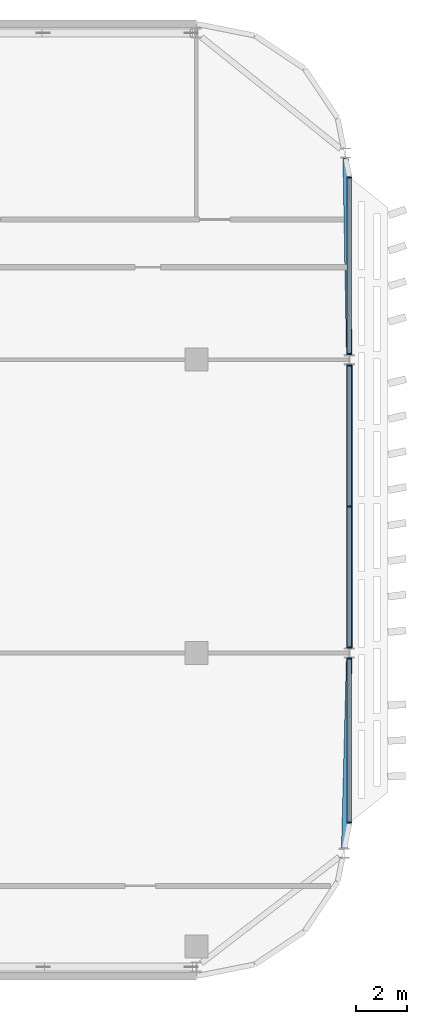
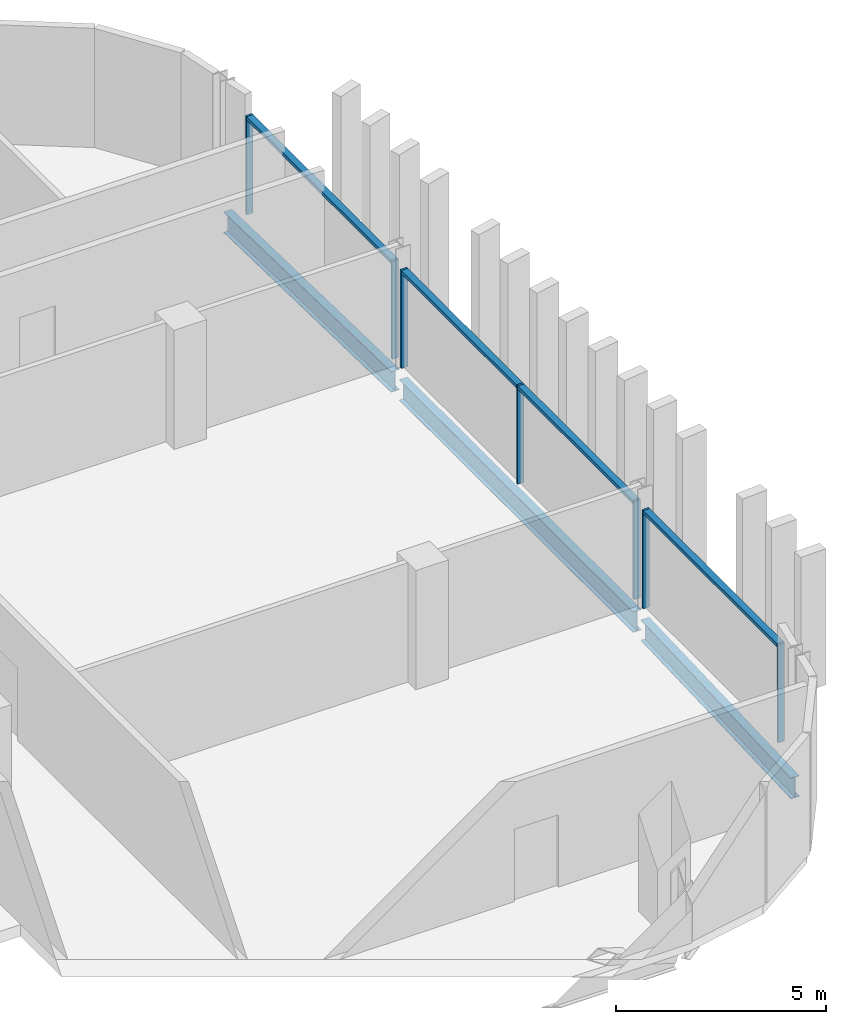
# One storey, part 8 of 25: 11 members, 3 beams, 3 elements without a shape of their own.
"""IFC4 building model written with IfcOpenShell, lengths in metres."""

from ifc_helpers import new_model, si_unit, direction, frame, origin, origin_2d, place, context, subcontext, project, spatial, rectangle, i_section, extrude, material, material_profile, profile_set, type_object, element, aggregate, save


model = new_model("IFC4")

# Units and contexts
model_context = context("Model", 3, precision=1e-05, world=origin(), true_north=direction((0.0, 1.0)))
body_context = subcontext(model_context, "Body", "Model", "MODEL_VIEW")
ifc_project = project(units=[si_unit("LENGTHUNIT", "METRE"), si_unit("AREAUNIT", "SQUARE_METRE"), si_unit("VOLUMEUNIT", "CUBIC_METRE"), si_unit("PLANEANGLEUNIT", "RADIAN"), si_unit("MASSUNIT", "GRAM", prefix="KILO")], contexts=[model_context])

# Site, building, storey
site_placement = place(None, origin())
site = spatial("IfcSite", under=ifc_project, at=site_placement, CompositionType="ELEMENT")
building_placement = place(site_placement, origin())
building = spatial("IfcBuilding", under=site, at=building_placement, Name="Mahtab Terrace Research Tower", CompositionType="ELEMENT")
storey_placement = place(building_placement, frame((0.0, 0.0, 278.5)))
storey = spatial("IfcBuildingStorey", under=building, at=storey_placement, Name="L68", CompositionType="ELEMENT", Elevation=278.5)

# Curtain wall, members
ifc_material_1 = material(Name="Office ribbon curtain wall")
curtain_wall_type = type_object("IfcCurtainWallType", Name="Office ribbon curtain wall", PredefinedType="NOTDEFINED", material=ifc_material_1)
curtain_wall_1_placement = place(storey_placement, origin())
curtain_wall_1 = element("IfcCurtainWall", 1, at=curtain_wall_1_placement, inside=storey, type_object=curtain_wall_type, Name="EN.L68.18.22", PredefinedType="NOTDEFINED")
ifc_material_2 = material(Name="Natural anodised aluminium", Category="aluminium")
ifc_material_profile_1 = material_profile(ifc_material_2, rectangle(XDim=0.179931640625, YDim=0.06005859375, at=origin_2d()), Name="MULLION 60x180")
ifc_profile_set_1 = profile_set([ifc_material_profile_1], Name="Natural anodised aluminium")
member_type_1 = type_object("IfcMemberType", Name="Office ribbon curtain wall mullion", PredefinedType="MULLION", material=ifc_profile_set_1)
member_1_placement = place(storey_placement, frame((48.0, -6.637939453125, 0.0), z_axis=(0.0, 0.0, 1.0), x_axis=(-1.0, 0.0, 0.0)))
member_1 = element("IfcMember", 2, at=member_1_placement, type_object=member_type_1, Name="CWO-8 mullion 1", PredefinedType="MULLION", context=body_context, shape_type="SweptSolid", body=[
    extrude(rectangle(XDim=0.179931640625, YDim=0.06005859375, at=origin_2d()), origin(), (0.0, 0.0, 1.0), 2.852783203125),
])
member_2_placement = place(storey_placement, frame((48.0, -0.218017578125, 0.0), z_axis=(0.0, 0.0, 1.0), x_axis=(-1.0, 0.0, 0.0)))
member_2 = element("IfcMember", 3, at=member_2_placement, type_object=member_type_1, Name="CWO-8 mullion 2", PredefinedType="MULLION", context=body_context, shape_type="SweptSolid", body=[
    extrude(rectangle(XDim=0.179931640625, YDim=0.06005859375, at=origin_2d()), origin(), (0.0, 0.0, 1.0), 2.852783203125),
])

curtain_wall_2_placement = place(storey_placement, origin())
curtain_wall_2 = element("IfcCurtainWall", 4, at=curtain_wall_2_placement, inside=storey, type_object=curtain_wall_type, Name="EN.L68.18.23", PredefinedType="NOTDEFINED")
member_3_placement = place(storey_placement, frame((48.0, 0.218017578125, 0.0), z_axis=(0.0, 0.0, 1.0), x_axis=(-1.0, 0.0, 0.0)))
member_3 = element("IfcMember", 5, at=member_3_placement, type_object=member_type_1, Name="CWO-8 mullion 1", PredefinedType="MULLION", context=body_context, shape_type="SweptSolid", body=[
    extrude(rectangle(XDim=0.179931640625, YDim=0.06005859375, at=origin_2d()), origin(), (0.0, 0.0, 1.0), 2.852783203125),
])
member_4_placement = place(storey_placement, frame((48.0, 5.75, 0.0), z_axis=(0.0, 0.0, 1.0), x_axis=(-1.0, 0.0, 0.0)))
member_4 = element("IfcMember", 6, at=member_4_placement, type_object=member_type_1, Name="CWO-8 mullion 2", PredefinedType="MULLION", context=body_context, shape_type="SweptSolid", body=[
    extrude(rectangle(XDim=0.179931640625, YDim=0.06005859375, at=origin_2d()), origin(), (0.0, 0.0, 1.0), 2.852783203125),
])
member_5_placement = place(storey_placement, frame((48.0, 11.281982421875, 0.0), z_axis=(0.0, 0.0, 1.0), x_axis=(-1.0, 0.0, 0.0)))
member_5 = element("IfcMember", 7, at=member_5_placement, type_object=member_type_1, Name="CWO-8 mullion 3", PredefinedType="MULLION", context=body_context, shape_type="SweptSolid", body=[
    extrude(rectangle(XDim=0.179931640625, YDim=0.06005859375, at=origin_2d()), origin(), (0.0, 0.0, 1.0), 2.852783203125),
])

curtain_wall_3_placement = place(storey_placement, origin())
curtain_wall_3 = element("IfcCurtainWall", 8, at=curtain_wall_3_placement, inside=storey, type_object=curtain_wall_type, Name="EN.L68.18.24", PredefinedType="NOTDEFINED")
member_6_placement = place(storey_placement, frame((48.0, 11.718017578125, 0.0), z_axis=(0.0, 0.0, 1.0), x_axis=(-1.0, 0.0, 0.0)))
member_6 = element("IfcMember", 9, at=member_6_placement, type_object=member_type_1, Name="CWO-8 mullion 1", PredefinedType="MULLION", context=body_context, shape_type="SweptSolid", body=[
    extrude(rectangle(XDim=0.179931640625, YDim=0.06005859375, at=origin_2d()), origin(), (0.0, 0.0, 1.0), 2.852783203125),
])
member_7_placement = place(storey_placement, frame((48.0, 18.637939453125, 0.0), z_axis=(0.0, 0.0, 1.0), x_axis=(-1.0, 0.0, 0.0)))
member_7 = element("IfcMember", 10, at=member_7_placement, type_object=member_type_1, Name="CWO-8 mullion 2", PredefinedType="MULLION", context=body_context, shape_type="SweptSolid", body=[
    extrude(rectangle(XDim=0.179931640625, YDim=0.06005859375, at=origin_2d()), origin(), (0.0, 0.0, 1.0), 2.852783203125),
])

# Member
ifc_material_profile_2 = material_profile(ifc_material_2, rectangle(XDim=0.179931640625, YDim=0.10009765625, at=origin_2d()), Name="TRANSOM 100x180")
ifc_profile_set_2 = profile_set([ifc_material_profile_2], Name="Natural anodised aluminium")
member_type_2 = type_object("IfcMemberType", Name="Office ribbon curtain wall transom", PredefinedType="USERDEFINED", material=ifc_profile_set_2)
member_8_placement = place(storey_placement, frame((48.0, -6.60791015625, 2.802978515625), z_axis=(0.0, 1.0, 0.0), x_axis=(-1.0, 0.0, 0.0)))
member_8 = element("IfcMember", 11, at=member_8_placement, type_object=member_type_2, Name="CWO-8 transom 1", ObjectType="TRANSOM", PredefinedType="USERDEFINED", context=body_context, shape_type="SweptSolid", body=[
    extrude(rectangle(XDim=0.179931640625, YDim=0.10009765625, at=origin_2d()), origin(), (0.0, 0.0, 1.0), 6.35986328125),
])

aggregate(curtain_wall_1, [member_1, member_2, member_8])

member_9_placement = place(storey_placement, frame((48.0, 0.248046875, 2.802978515625), z_axis=(0.0, 1.0, 0.0), x_axis=(-1.0, 0.0, 0.0)))
member_9 = element("IfcMember", 12, at=member_9_placement, type_object=member_type_2, Name="CWO-8 transom 1", ObjectType="TRANSOM", PredefinedType="USERDEFINED", context=body_context, shape_type="SweptSolid", body=[
    extrude(rectangle(XDim=0.179931640625, YDim=0.10009765625, at=origin_2d()), origin(), (0.0, 0.0, 1.0), 5.471923828125),
])

member_10_placement = place(storey_placement, frame((48.0, 5.780029296875, 2.802978515625), z_axis=(0.0, 1.0, 0.0), x_axis=(-1.0, 0.0, 0.0)))
member_10 = element("IfcMember", 13, at=member_10_placement, type_object=member_type_2, Name="CWO-8 transom 2", ObjectType="TRANSOM", PredefinedType="USERDEFINED", context=body_context, shape_type="SweptSolid", body=[
    extrude(rectangle(XDim=0.179931640625, YDim=0.10009765625, at=origin_2d()), origin(), (0.0, 0.0, 1.0), 5.471923828125),
])

aggregate(curtain_wall_2, [member_3, member_4, member_5, member_9, member_10])

member_11_placement = place(storey_placement, frame((48.0, 11.748046875, 2.802978515625), z_axis=(0.0, 1.0, 0.0), x_axis=(-1.0, 0.0, 0.0)))
member_11 = element("IfcMember", 14, at=member_11_placement, type_object=member_type_2, Name="CWO-8 transom 1", ObjectType="TRANSOM", PredefinedType="USERDEFINED", context=body_context, shape_type="SweptSolid", body=[
    extrude(rectangle(XDim=0.179931640625, YDim=0.10009765625, at=origin_2d()), origin(), (0.0, 0.0, 1.0), 6.85986328125),
])

aggregate(curtain_wall_3, [member_6, member_7, member_11])

# Beams
ifc_material_3 = material(Name="Steel ASTM A992 Gr 50", Category="steel")
ifc_material_profile_3 = material_profile(ifc_material_3, i_section(OverallWidth=0.228271484375, OverallDepth=0.607177734375, WebThickness=0.01123046875, FlangeThickness=0.017333984375, at=origin_2d()), Name="W24X76")
ifc_profile_set_3 = profile_set([ifc_material_profile_3], Name="Steel ASTM A992 Gr 50")
beam_type = type_object("IfcBeamType", Name="W24x76 beam BS2476", PredefinedType="BEAM", material=ifc_profile_set_3)
beam_1_placement = place(storey_placement, frame((47.802734375, -7.66015625, -0.6435546875), z_axis=(0.025738056343, 0.999668721355, 0.0), x_axis=(-0.999668721355, 0.025738056343, 0.0)))
element("IfcBeam", 15, at=beam_1_placement, inside=storey, type_object=beam_type, Name="Spandrel beam L68 22", PredefinedType="BEAM", context=body_context, shape_type="SweptSolid", body=[
    extrude(i_section(OverallWidth=0.228271484375, OverallDepth=0.607177734375, WebThickness=0.01123046875, FlangeThickness=0.017333984375, at=origin_2d()), origin(), (0.0, 0.0, 1.0), 7.474609375),
])
beam_2_placement = place(storey_placement, frame((48.0, 0.18798828125, -0.6435546875), z_axis=(0.0, 1.0, 0.0), x_axis=(-1.0, 0.0, 0.0)))
element("IfcBeam", 16, at=beam_2_placement, inside=storey, type_object=beam_type, Name="Spandrel beam L68 23", PredefinedType="BEAM", context=body_context, shape_type="SweptSolid", body=[
    extrude(i_section(OverallWidth=0.228271484375, OverallDepth=0.607177734375, WebThickness=0.01123046875, FlangeThickness=0.017333984375, at=origin_2d()), origin(), (0.0, 0.0, 1.0), 11.1240234375),
])
beam_3_placement = place(storey_placement, frame((47.99658203125, 11.68798828125, -0.6435546875), z_axis=(-0.017623139265, 0.999844700422, 0.0), x_axis=(-0.999844700422, -0.017623139265, 0.0)))
element("IfcBeam", 17, at=beam_3_placement, inside=storey, type_object=beam_type, Name="Spandrel beam L68 24", PredefinedType="BEAM", context=body_context, shape_type="SweptSolid", body=[
    extrude(i_section(OverallWidth=0.228271484375, OverallDepth=0.607177734375, WebThickness=0.01123046875, FlangeThickness=0.017333984375, at=origin_2d()), origin(), (0.0, 0.0, 1.0), 7.730224609375),
])

save(model, "model.ifc")
